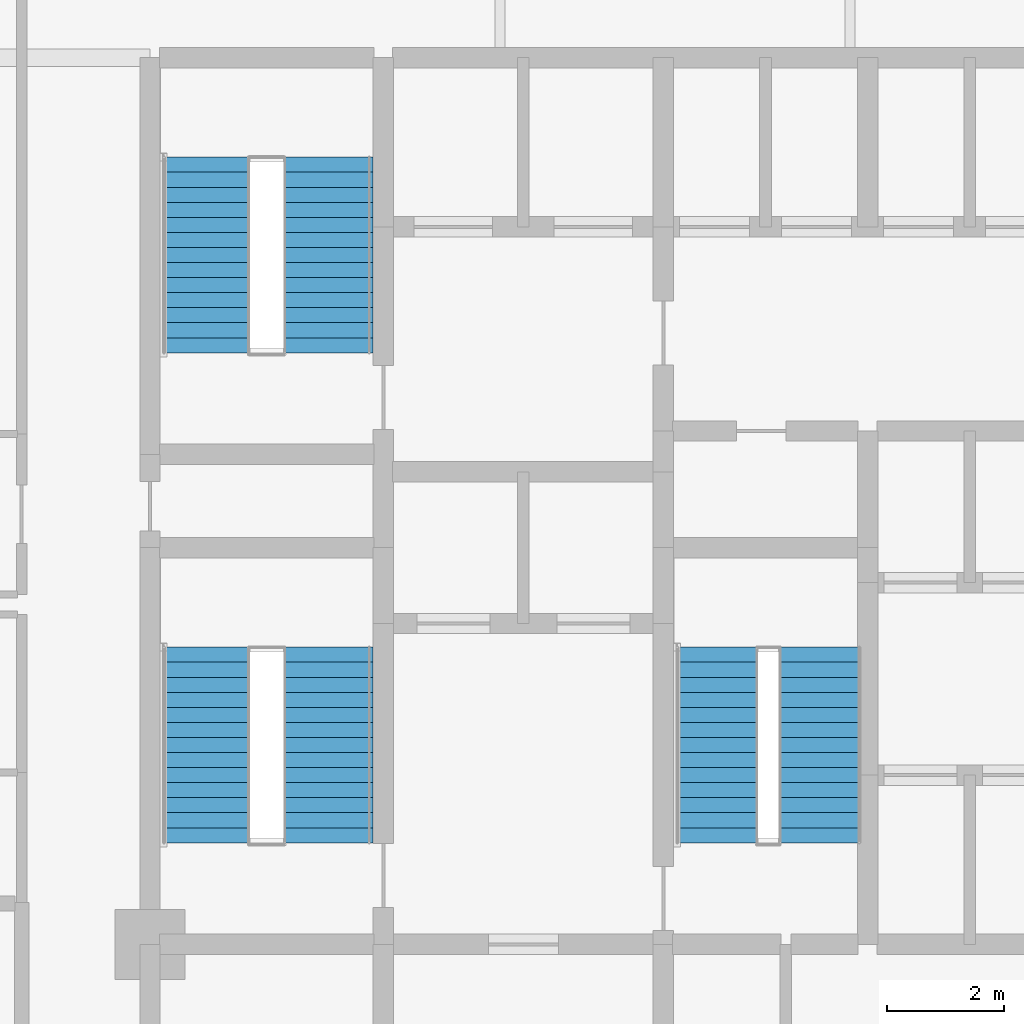
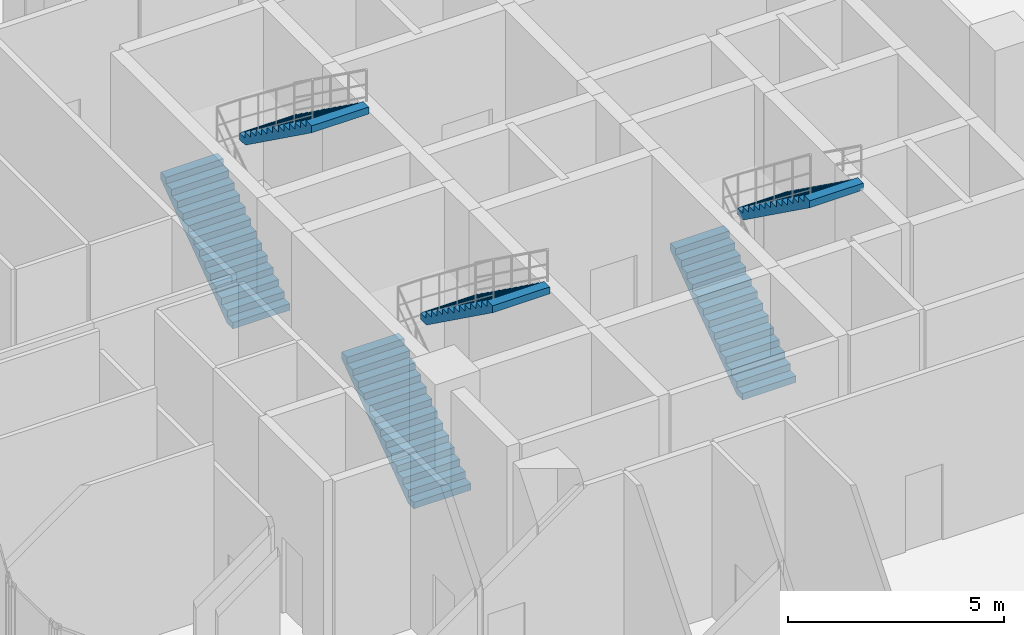
# One storey, part 35 of 36: 6 stair flights, 3 elements without a shape of their own.
"""IFC4 building model written with IfcOpenShell, lengths in metres."""

from ifc_helpers import new_model, si_unit, direction, frame, origin, place, context, subcontext, project, spatial, polyline, outline, extrude, material, type_object, element, aggregate, save


model = new_model("IFC4")

# Units and contexts
model_context = context("Model", 3, precision=1e-05, world=origin(), true_north=direction((0.0, 1.0)))
body_context = subcontext(model_context, "Body", "Model", "MODEL_VIEW")
ifc_project = project(units=[si_unit("LENGTHUNIT", "METRE"), si_unit("AREAUNIT", "SQUARE_METRE"), si_unit("VOLUMEUNIT", "CUBIC_METRE"), si_unit("PLANEANGLEUNIT", "RADIAN"), si_unit("MASSUNIT", "GRAM", prefix="KILO")], contexts=[model_context])

# Site, building, storey
site_placement = place(None, origin())
site = spatial("IfcSite", under=ifc_project, at=site_placement, CompositionType="ELEMENT")
building_placement = place(site_placement, origin())
building = spatial("IfcBuilding", under=site, at=building_placement, Name="Keshet Zoharim Tower", CompositionType="ELEMENT")
storey_placement = place(building_placement, frame((0.0, 0.0, 81.199951171875)))
storey = spatial("IfcBuildingStorey", under=building, at=storey_placement, Name="L19", CompositionType="ELEMENT", Elevation=81.199951171875)

# Stair, stair flights
ifc_material = material(Name="Concrete C50/60", Category="concrete")
stair_type = type_object("IfcStairType", Name="STR-EXIT-135", PredefinedType="HALF_TURN_STAIR", material=ifc_material)
stair_1_placement = place(storey_placement, origin())
stair_1 = element("IfcStair", 1, at=stair_1_placement, inside=storey, type_object=stair_type, Name="L19 Enclosed Exit Stair ST-01", PredefinedType="HALF_TURN_STAIR")
stair_flight_type_1 = type_object("IfcStairFlightType", Name="FLT-PRE-135", PredefinedType="STRAIGHT", material=ifc_material)
stair_flight_1_placement = place(storey_placement, frame((15.945068359375, 24.43994140625, 0.0), z_axis=(0.0, 0.0, 1.0), x_axis=(0.0, 1.0, 0.0)))
stair_flight_1 = element("IfcStairFlight", 2, at=stair_flight_1_placement, type_object=stair_flight_type_1, Name="ST-01 flight 1", NumberOfRisers=14, NumberOfTreads=13, PredefinedType="STRAIGHT", RiserHeight=0.185714, TreadLength=0.258, context=body_context, shape_type="SweptSolid", body=[
    extrude(outline(polyline([(0.0, 0.0), (0.0, 0.185791015625), (0.258056640625, 0.185791015625), (0.258056640625, 0.371337890625), (0.51611328125, 0.371337890625), (0.51611328125, 0.55712890625), (0.77392578125, 0.55712890625), (0.77392578125, 0.742919921875), (1.031982421875, 0.742919921875), (1.031982421875, 0.928466796875), (1.2900390625, 0.928466796875), (1.2900390625, 1.1142578125), (1.548095703125, 1.1142578125), (1.548095703125, 1.300048828125), (1.805908203125, 1.300048828125), (1.805908203125, 1.485595703125), (2.06396484375, 1.485595703125), (2.06396484375, 1.67138671875), (2.322021484375, 1.67138671875), (2.322021484375, 1.857177734375), (2.580078125, 1.857177734375), (2.580078125, 2.04296875), (2.837890625, 2.04296875), (2.837890625, 2.228515625), (3.095947265625, 2.228515625), (3.095947265625, 2.414306640625), (3.35400390625, 2.414306640625), (3.35400390625, 2.60009765625), (3.35400390625, 2.21728515625), (0.273681640625, 0.0), (0.0, 0.0)])), frame((0.0, 0.76513671875, 0.0), z_axis=(0.0, -1.0, 0.0), x_axis=(1.0, 0.0, 0.0)), (0.0, 0.0, 1.0), 1.530029296875),
])
stair_flight_2_placement = place(storey_placement, frame((18.054931640625, 27.7939453125, 2.60009765625), z_axis=(0.0, 0.0, 1.0), x_axis=(0.0, -1.0, 0.0)))
stair_flight_2 = element("IfcStairFlight", 3, at=stair_flight_2_placement, type_object=stair_flight_type_1, Name="ST-01 flight 2", NumberOfRisers=14, NumberOfTreads=13, PredefinedType="STRAIGHT", RiserHeight=0.185714, TreadLength=0.258, context=body_context, shape_type="SweptSolid", body=[
    extrude(outline(polyline([(0.0, 0.0), (0.0, 0.185791015625), (0.258056640625, 0.185791015625), (0.258056640625, 0.371337890625), (0.51611328125, 0.371337890625), (0.51611328125, 0.55712890625), (0.77392578125, 0.55712890625), (0.77392578125, 0.742919921875), (1.031982421875, 0.742919921875), (1.031982421875, 0.928466796875), (1.2900390625, 0.928466796875), (1.2900390625, 1.1142578125), (1.548095703125, 1.1142578125), (1.548095703125, 1.300048828125), (1.805908203125, 1.300048828125), (1.805908203125, 1.485595703125), (2.06396484375, 1.485595703125), (2.06396484375, 1.67138671875), (2.322021484375, 1.67138671875), (2.322021484375, 1.857177734375), (2.580078125, 1.857177734375), (2.580078125, 2.04296875), (2.837890625, 2.04296875), (2.837890625, 2.228515625), (3.095947265625, 2.228515625), (3.095947265625, 2.414306640625), (3.35400390625, 2.414306640625), (3.35400390625, 2.60009765625), (3.35400390625, 2.21728515625), (0.273681640625, 0.0), (0.0, 0.0)])), frame((0.0, 0.76513671875, 0.0), z_axis=(0.0, -1.0, 0.0), x_axis=(1.0, 0.0, 0.0)), (0.0, 0.0, 1.0), 1.530029296875),
])
aggregate(stair_1, [stair_flight_1, stair_flight_2])

stair_2_placement = place(storey_placement, origin())
stair_2 = element("IfcStair", 4, at=stair_2_placement, inside=storey, type_object=stair_type, Name="L19 Enclosed Exit Stair ST-02", PredefinedType="HALF_TURN_STAIR")
stair_flight_3_placement = place(storey_placement, frame((15.945068359375, 32.840087890625, 0.0), z_axis=(0.0, 0.0, 1.0), x_axis=(0.0, 1.0, 0.0)))
stair_flight_3 = element("IfcStairFlight", 5, at=stair_flight_3_placement, type_object=stair_flight_type_1, Name="ST-02 flight 1", NumberOfRisers=14, NumberOfTreads=13, PredefinedType="STRAIGHT", RiserHeight=0.185714, TreadLength=0.258, context=body_context, shape_type="SweptSolid", body=[
    extrude(outline(polyline([(0.0, 0.0), (0.0, 0.185791015625), (0.258056640625, 0.185791015625), (0.258056640625, 0.371337890625), (0.51611328125, 0.371337890625), (0.51611328125, 0.55712890625), (0.77392578125, 0.55712890625), (0.77392578125, 0.742919921875), (1.031982421875, 0.742919921875), (1.031982421875, 0.928466796875), (1.2900390625, 0.928466796875), (1.2900390625, 1.1142578125), (1.548095703125, 1.1142578125), (1.548095703125, 1.300048828125), (1.805908203125, 1.300048828125), (1.805908203125, 1.485595703125), (2.06396484375, 1.485595703125), (2.06396484375, 1.67138671875), (2.322021484375, 1.67138671875), (2.322021484375, 1.857177734375), (2.580078125, 1.857177734375), (2.580078125, 2.04296875), (2.837890625, 2.04296875), (2.837890625, 2.228515625), (3.095947265625, 2.228515625), (3.095947265625, 2.414306640625), (3.35400390625, 2.414306640625), (3.35400390625, 2.60009765625), (3.35400390625, 2.21728515625), (0.273681640625, 0.0), (0.0, 0.0)])), frame((0.0, 0.76513671875, 0.0), z_axis=(0.0, -1.0, 0.0), x_axis=(1.0, 0.0, 0.0)), (0.0, 0.0, 1.0), 1.530029296875),
])
stair_flight_4_placement = place(storey_placement, frame((18.054931640625, 36.194091796875, 2.60009765625), z_axis=(0.0, 0.0, 1.0), x_axis=(0.0, -1.0, 0.0)))
stair_flight_4 = element("IfcStairFlight", 6, at=stair_flight_4_placement, type_object=stair_flight_type_1, Name="ST-02 flight 2", NumberOfRisers=14, NumberOfTreads=13, PredefinedType="STRAIGHT", RiserHeight=0.185714, TreadLength=0.258, context=body_context, shape_type="SweptSolid", body=[
    extrude(outline(polyline([(0.0, 0.0), (0.0, 0.185791015625), (0.258056640625, 0.185791015625), (0.258056640625, 0.371337890625), (0.51611328125, 0.371337890625), (0.51611328125, 0.55712890625), (0.77392578125, 0.55712890625), (0.77392578125, 0.742919921875), (1.031982421875, 0.742919921875), (1.031982421875, 0.928466796875), (1.2900390625, 0.928466796875), (1.2900390625, 1.1142578125), (1.548095703125, 1.1142578125), (1.548095703125, 1.300048828125), (1.805908203125, 1.300048828125), (1.805908203125, 1.485595703125), (2.06396484375, 1.485595703125), (2.06396484375, 1.67138671875), (2.322021484375, 1.67138671875), (2.322021484375, 1.857177734375), (2.580078125, 1.857177734375), (2.580078125, 2.04296875), (2.837890625, 2.04296875), (2.837890625, 2.228515625), (3.095947265625, 2.228515625), (3.095947265625, 2.414306640625), (3.35400390625, 2.414306640625), (3.35400390625, 2.60009765625), (3.35400390625, 2.21728515625), (0.273681640625, 0.0), (0.0, 0.0)])), frame((0.0, 0.76513671875, 0.0), z_axis=(0.0, -1.0, 0.0), x_axis=(1.0, 0.0, 0.0)), (0.0, 0.0, 1.0), 1.530029296875),
])
aggregate(stair_2, [stair_flight_3, stair_flight_4])

stair_3_placement = place(storey_placement, origin())
stair_3 = element("IfcStair", 7, at=stair_3_placement, inside=storey, type_object=stair_type, Name="L19 Enclosed Exit Stair ST-03", PredefinedType="HALF_TURN_STAIR")
stair_flight_type_2 = type_object("IfcStairFlightType", Name="FLT-PRE-144", PredefinedType="STRAIGHT", material=ifc_material)
stair_flight_5_placement = place(storey_placement, frame((24.699951171875, 24.43994140625, 0.0), z_axis=(0.0, 0.0, 1.0), x_axis=(0.0, 1.0, 0.0)))
stair_flight_5 = element("IfcStairFlight", 8, at=stair_flight_5_placement, type_object=stair_flight_type_2, Name="ST-03 flight 1", NumberOfRisers=14, NumberOfTreads=13, PredefinedType="STRAIGHT", RiserHeight=0.185714, TreadLength=0.258, context=body_context, shape_type="SweptSolid", body=[
    extrude(outline(polyline([(0.0, 0.0), (0.0, 0.185791015625), (0.258056640625, 0.185791015625), (0.258056640625, 0.371337890625), (0.51611328125, 0.371337890625), (0.51611328125, 0.55712890625), (0.77392578125, 0.55712890625), (0.77392578125, 0.742919921875), (1.031982421875, 0.742919921875), (1.031982421875, 0.928466796875), (1.2900390625, 0.928466796875), (1.2900390625, 1.1142578125), (1.548095703125, 1.1142578125), (1.548095703125, 1.300048828125), (1.805908203125, 1.300048828125), (1.805908203125, 1.485595703125), (2.06396484375, 1.485595703125), (2.06396484375, 1.67138671875), (2.322021484375, 1.67138671875), (2.322021484375, 1.857177734375), (2.580078125, 1.857177734375), (2.580078125, 2.04296875), (2.837890625, 2.04296875), (2.837890625, 2.228515625), (3.095947265625, 2.228515625), (3.095947265625, 2.414306640625), (3.35400390625, 2.414306640625), (3.35400390625, 2.60009765625), (3.35400390625, 2.21728515625), (0.273681640625, 0.0), (0.0, 0.0)])), frame((0.0, 0.719970703125, 0.0), z_axis=(0.0, -1.0, 0.0), x_axis=(1.0, 0.0, 0.0)), (0.0, 0.0, 1.0), 1.43994140625),
])
stair_flight_6_placement = place(storey_placement, frame((26.5, 27.7939453125, 2.60009765625), z_axis=(0.0, 0.0, 1.0), x_axis=(0.0, -1.0, 0.0)))
stair_flight_6 = element("IfcStairFlight", 9, at=stair_flight_6_placement, type_object=stair_flight_type_2, Name="ST-03 flight 2", NumberOfRisers=14, NumberOfTreads=13, PredefinedType="STRAIGHT", RiserHeight=0.185714, TreadLength=0.258, context=body_context, shape_type="SweptSolid", body=[
    extrude(outline(polyline([(0.0, 0.0), (0.0, 0.185791015625), (0.258056640625, 0.185791015625), (0.258056640625, 0.371337890625), (0.51611328125, 0.371337890625), (0.51611328125, 0.55712890625), (0.77392578125, 0.55712890625), (0.77392578125, 0.742919921875), (1.031982421875, 0.742919921875), (1.031982421875, 0.928466796875), (1.2900390625, 0.928466796875), (1.2900390625, 1.1142578125), (1.548095703125, 1.1142578125), (1.548095703125, 1.300048828125), (1.805908203125, 1.300048828125), (1.805908203125, 1.485595703125), (2.06396484375, 1.485595703125), (2.06396484375, 1.67138671875), (2.322021484375, 1.67138671875), (2.322021484375, 1.857177734375), (2.580078125, 1.857177734375), (2.580078125, 2.04296875), (2.837890625, 2.04296875), (2.837890625, 2.228515625), (3.095947265625, 2.228515625), (3.095947265625, 2.414306640625), (3.35400390625, 2.414306640625), (3.35400390625, 2.60009765625), (3.35400390625, 2.21728515625), (0.273681640625, 0.0), (0.0, 0.0)])), frame((0.0, 0.719970703125, 0.0), z_axis=(0.0, -1.0, 0.0), x_axis=(1.0, 0.0, 0.0)), (0.0, 0.0, 1.0), 1.43994140625),
])
aggregate(stair_3, [stair_flight_5, stair_flight_6])

save(model, "model.ifc")
